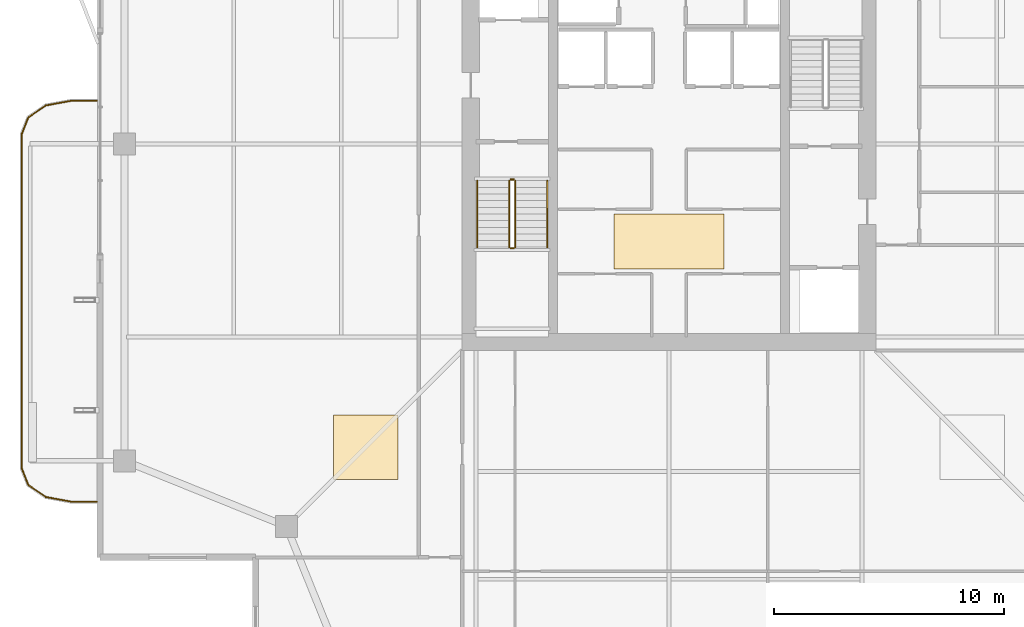
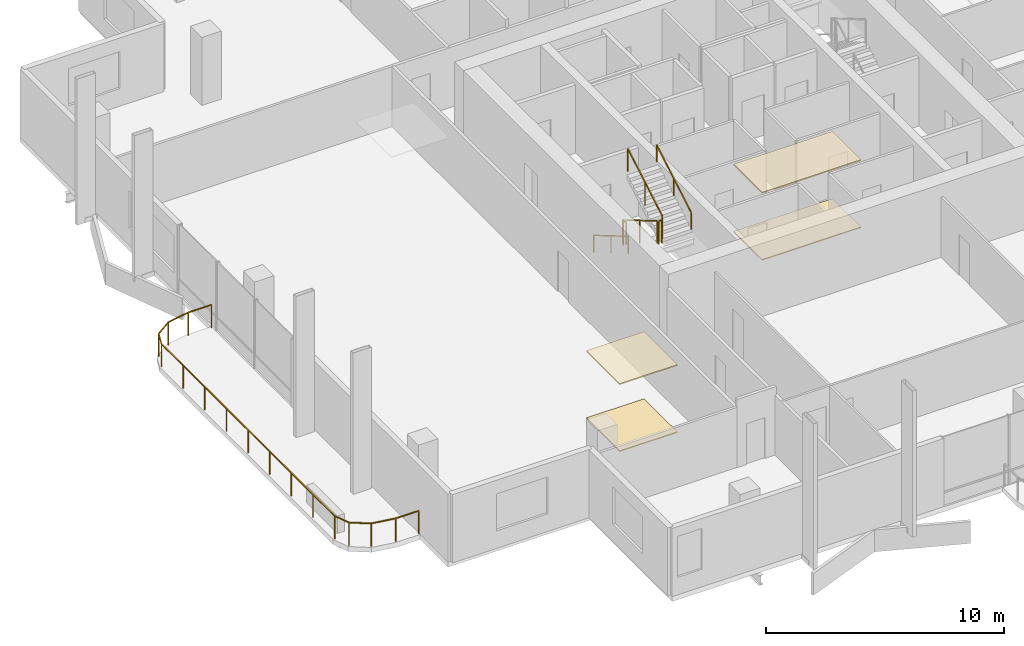
# One storey, part 22 of 25: 7 railings, 4 coverings.
"""IFC4 building model written with IfcOpenShell, lengths in metres."""

from ifc_helpers import new_model, si_unit, direction, frame, origin, origin_2d, place, context, subcontext, project, spatial, polyline, rectangle, outline, extrude, material, layer, layer_set, type_object, element, save


model = new_model("IFC4")

# Units and contexts
model_context = context("Model", 3, precision=1e-05, world=origin(), true_north=direction((0.0, 1.0)))
body_context = subcontext(model_context, "Body", "Model", "MODEL_VIEW")
ifc_project = project(units=[si_unit("LENGTHUNIT", "METRE"), si_unit("AREAUNIT", "SQUARE_METRE"), si_unit("VOLUMEUNIT", "CUBIC_METRE"), si_unit("PLANEANGLEUNIT", "RADIAN"), si_unit("MASSUNIT", "GRAM", prefix="KILO")], contexts=[model_context])

# Site, building, storey
site_placement = place(None, origin())
site = spatial("IfcSite", under=ifc_project, at=site_placement, CompositionType="ELEMENT")
building_placement = place(site_placement, origin())
building = spatial("IfcBuilding", under=site, at=building_placement, Name="Belovzor Exchange Tower", CompositionType="ELEMENT")
storey_placement = place(building_placement, frame((0.0, 0.0, 250.35009765625)))
storey = spatial("IfcBuildingStorey", under=building, at=storey_placement, Name="L62", CompositionType="ELEMENT", Elevation=250.35009765625)

# Railings
ifc_material_1 = material(Name="Stainless Steel Grade 304", Category="steel")
railing_type_1 = type_object("IfcRailingType", Name="Brushed Stainless Steel Stair Handrail 900", PredefinedType="HANDRAIL", material=ifc_material_1)
railing_1_placement = place(storey_placement, frame((20.449951171875, 27.199951171875, 0.17041015625)))
element("IfcRailing", 1, at=railing_1_placement, inside=storey, type_object=railing_type_1, Name="L62 ST-1 stair handrail 1", PredefinedType="HANDRAIL", context=body_context, shape_type="SweptSolid", body=[
    extrude(rectangle(XDim=0.048095703125, YDim=0.048095703125, at=origin_2d()), frame((0.0, 0.0, 0.8759765625), z_axis=(0.0, -0.86209462966, 0.506747323142), x_axis=(1.0, 0.0, 0.0)), (0.0, 0.0, 1.0), 3.36376953125),
    extrude(rectangle(XDim=0.0419921875, YDim=0.0419921875, at=origin_2d()), origin(), (0.0, 0.0, 1.0), 0.851806640625),
    extrude(rectangle(XDim=0.0419921875, YDim=0.0419921875, at=origin_2d()), frame((0.0, -1.449951171875, 0.852294921875)), (0.0, 0.0, 1.0), 0.851806640625),
    extrude(rectangle(XDim=0.0419921875, YDim=0.0419921875, at=origin_2d()), frame((0.0, -2.89990234375, 1.70458984375)), (0.0, 0.0, 1.0), 0.851806640625),
])
railing_2_placement = place(storey_placement, frame((23.5, 24.300048828125, 2.04541015625)))
element("IfcRailing", 2, at=railing_2_placement, inside=storey, type_object=railing_type_1, Name="L62 ST-1 stair handrail 2", PredefinedType="HANDRAIL", context=body_context, shape_type="SweptSolid", body=[
    extrude(rectangle(XDim=0.048095703125, YDim=0.048095703125, at=origin_2d()), frame((0.0, 0.0, 0.8759765625), z_axis=(0.0, 0.86209462966, 0.506747323142), x_axis=(-1.0, 0.0, 0.0)), (0.0, 0.0, 1.0), 3.36376953125),
    extrude(rectangle(XDim=0.0419921875, YDim=0.0419921875, at=origin_2d()), origin(), (0.0, 0.0, 1.0), 0.851806640625),
    extrude(rectangle(XDim=0.0419921875, YDim=0.0419921875, at=origin_2d()), frame((0.0, 1.449951171875, 0.852294921875)), (0.0, 0.0, 1.0), 0.851806640625),
    extrude(rectangle(XDim=0.0419921875, YDim=0.0419921875, at=origin_2d()), frame((0.0, 2.89990234375, 1.70458984375)), (0.0, 0.0, 1.0), 0.851806640625),
])
ifc_material_2 = material(Name="Stainless Steel and Laminated Safety Glass", Category="steel")
railing_type_2 = type_object("IfcRailingType", Name="Laminated Glass & Stainless Steel Balcony Balustrade 1200", PredefinedType="BALUSTRADE", material=ifc_material_2)
railing_3_placement = place(storey_placement, frame((3.889892578125, 30.669921875, 0.0)))
element("IfcRailing", 3, at=railing_3_placement, inside=storey, type_object=railing_type_2, Name="GR-1 Balcony Balustrade L62 West", PredefinedType="BALUSTRADE", context=body_context, shape_type="SweptSolid", body=[
    extrude(rectangle(XDim=0.048095703125, YDim=0.048095703125, at=origin_2d()), frame((0.0, 0.0, 1.17578125), z_axis=(-1.0, 0.0, 0.0), x_axis=(0.0, -1.0, 0.0)), (0.0, 0.0, 1.0), 1.1328125),
    extrude(rectangle(XDim=0.048095703125, YDim=0.048095703125, at=origin_2d()), frame((-1.1328125, 0.0, 1.17578125), z_axis=(-0.983651385113, -0.180083182347, 0.0), x_axis=(0.180083182347, -0.983651385113, 0.0)), (0.0, 0.0, 1.0), 1.093994140625),
    extrude(rectangle(XDim=0.048095703125, YDim=0.048095703125, at=origin_2d()), frame((-2.208984375, -0.197021484375, 1.17578125), z_axis=(-0.826614792125, -0.562768145367, 0.0), x_axis=(0.562768145367, -0.826614792125, 0.0)), (0.0, 0.0, 1.0), 0.9326171875),
    extrude(rectangle(XDim=0.048095703125, YDim=0.048095703125, at=origin_2d()), frame((-2.97998046875, -0.721923828125, 1.17578125), z_axis=(-0.365612923861, -0.930766990125, 0.0), x_axis=(0.930766990125, -0.365612923861, 0.0)), (0.0, 0.0, 1.0), 0.765869140625),
    extrude(rectangle(XDim=0.048095703125, YDim=0.048095703125, at=origin_2d()), frame((-3.260009765625, -1.434814453125, 1.17578125), z_axis=(0.0, -1.0, 0.0), x_axis=(1.0, 0.0, 0.0)), (0.0, 0.0, 1.0), 14.570068359375),
    extrude(rectangle(XDim=0.048095703125, YDim=0.048095703125, at=origin_2d()), frame((-3.260009765625, -16.0048828125, 1.17578125), z_axis=(0.365504480807, -0.930809580156, 0.0), x_axis=(0.930809580156, 0.365504480807, 0.0)), (0.0, 0.0, 1.0), 0.76611328125),
    extrude(rectangle(XDim=0.048095703125, YDim=0.048095703125, at=origin_2d()), frame((-2.97998046875, -16.718017578125, 1.17578125), z_axis=(0.826614792125, -0.562768145367, 0.0), x_axis=(0.562768145367, 0.826614792125, 0.0)), (0.0, 0.0, 1.0), 0.9326171875),
    extrude(rectangle(XDim=0.048095703125, YDim=0.048095703125, at=origin_2d()), frame((-2.208984375, -17.242919921875, 1.17578125), z_axis=(0.983651385113, -0.180083182347, 0.0), x_axis=(0.180083182347, 0.983651385113, 0.0)), (0.0, 0.0, 1.0), 1.093994140625),
    extrude(rectangle(XDim=0.048095703125, YDim=0.048095703125, at=origin_2d()), frame((-1.1328125, -17.43994140625, 1.17578125), z_axis=(1.0, 0.0, 0.0), x_axis=(0.0, 1.0, 0.0)), (0.0, 0.0, 1.0), 1.1328125),
    extrude(rectangle(XDim=0.0419921875, YDim=0.0419921875, at=origin_2d()), origin(), (0.0, 0.0, 1.0), 1.15185546875),
    extrude(rectangle(XDim=0.0419921875, YDim=0.0419921875, at=origin_2d()), frame((-1.1328125, 0.0, 0.0)), (0.0, 0.0, 1.0), 1.15185546875),
    extrude(rectangle(XDim=0.0419921875, YDim=0.0419921875, at=origin_2d()), frame((-2.208984375, -0.197021484375, 0.0)), (0.0, 0.0, 1.0), 1.15185546875),
    extrude(rectangle(XDim=0.0419921875, YDim=0.0419921875, at=origin_2d()), frame((-2.97998046875, -0.721923828125, 0.0)), (0.0, 0.0, 1.0), 1.15185546875),
    extrude(rectangle(XDim=0.0419921875, YDim=0.0419921875, at=origin_2d()), frame((-3.260009765625, -1.434814453125, 0.0)), (0.0, 0.0, 1.0), 1.15185546875),
    extrude(rectangle(XDim=0.0419921875, YDim=0.0419921875, at=origin_2d()), frame((-3.260009765625, -3.256103515625, 0.0)), (0.0, 0.0, 1.0), 1.15185546875),
    extrude(rectangle(XDim=0.0419921875, YDim=0.0419921875, at=origin_2d()), frame((-3.260009765625, -5.077392578125, 0.0)), (0.0, 0.0, 1.0), 1.15185546875),
    extrude(rectangle(XDim=0.0419921875, YDim=0.0419921875, at=origin_2d()), frame((-3.260009765625, -6.898681640625, 0.0)), (0.0, 0.0, 1.0), 1.15185546875),
    extrude(rectangle(XDim=0.0419921875, YDim=0.0419921875, at=origin_2d()), frame((-3.260009765625, -8.7197265625, 0.0)), (0.0, 0.0, 1.0), 1.15185546875),
    extrude(rectangle(XDim=0.0419921875, YDim=0.0419921875, at=origin_2d()), frame((-3.260009765625, -10.541015625, 0.0)), (0.0, 0.0, 1.0), 1.15185546875),
    extrude(rectangle(XDim=0.0419921875, YDim=0.0419921875, at=origin_2d()), frame((-3.260009765625, -12.3623046875, 0.0)), (0.0, 0.0, 1.0), 1.15185546875),
    extrude(rectangle(XDim=0.0419921875, YDim=0.0419921875, at=origin_2d()), frame((-3.260009765625, -14.18359375, 0.0)), (0.0, 0.0, 1.0), 1.15185546875),
    extrude(rectangle(XDim=0.0419921875, YDim=0.0419921875, at=origin_2d()), frame((-3.260009765625, -16.0048828125, 0.0)), (0.0, 0.0, 1.0), 1.15185546875),
    extrude(rectangle(XDim=0.0419921875, YDim=0.0419921875, at=origin_2d()), frame((-2.97998046875, -16.718017578125, 0.0)), (0.0, 0.0, 1.0), 1.15185546875),
    extrude(rectangle(XDim=0.0419921875, YDim=0.0419921875, at=origin_2d()), frame((-2.208984375, -17.242919921875, 0.0)), (0.0, 0.0, 1.0), 1.15185546875),
    extrude(rectangle(XDim=0.0419921875, YDim=0.0419921875, at=origin_2d()), frame((-1.1328125, -17.43994140625, 0.0)), (0.0, 0.0, 1.0), 1.15185546875),
    extrude(rectangle(XDim=0.0419921875, YDim=0.0419921875, at=origin_2d()), frame((0.0, -17.43994140625, 0.0)), (0.0, 0.0, 1.0), 1.15185546875),
])
ifc_material_3 = material(Name="Steel S355", Category="steel")
railing_type_3 = type_object("IfcRailingType", Name="Painted Steel Stairwell Guardrail 1200", PredefinedType="GUARDRAIL", material=ifc_material_3)
railing_4_placement = place(storey_placement, frame((21.85009765625, 27.199951171875, 0.17041015625)))
element("IfcRailing", 4, at=railing_4_placement, inside=storey, type_object=railing_type_3, Name="L62 ST-1 stair guard 1", PredefinedType="GUARDRAIL", context=body_context, shape_type="SweptSolid", body=[
    extrude(rectangle(XDim=0.048095703125, YDim=0.048095703125, at=origin_2d()), frame((0.0, 0.0, 1.17578125), z_axis=(0.0, -0.86209462966, 0.506747323142), x_axis=(1.0, 0.0, 0.0)), (0.0, 0.0, 1.0), 3.36376953125),
    extrude(rectangle(XDim=0.0419921875, YDim=0.0419921875, at=origin_2d()), origin(), (0.0, 0.0, 1.0), 1.15185546875),
    extrude(rectangle(XDim=0.0419921875, YDim=0.0419921875, at=origin_2d()), frame((0.0, -1.449951171875, 0.852294921875)), (0.0, 0.0, 1.0), 1.15185546875),
    extrude(rectangle(XDim=0.0419921875, YDim=0.0419921875, at=origin_2d()), frame((0.0, -2.89990234375, 1.70458984375)), (0.0, 0.0, 1.0), 1.15185546875),
])
railing_5_placement = place(storey_placement, frame((21.89990234375, 24.25, 1.875)))
element("IfcRailing", 5, at=railing_5_placement, inside=storey, type_object=railing_type_3, Name="L62 ST-1 stair guard 2", PredefinedType="GUARDRAIL", context=body_context, shape_type="SweptSolid", body=[
    extrude(rectangle(XDim=0.048095703125, YDim=0.048095703125, at=origin_2d()), frame((0.0, 0.0, 1.17578125), z_axis=(1.0, 0.0, 0.0), x_axis=(0.0, 1.0, 0.0)), (0.0, 0.0, 1.0), 0.150146484375),
    extrude(rectangle(XDim=0.0419921875, YDim=0.0419921875, at=origin_2d()), origin(), (0.0, 0.0, 1.0), 1.15185546875),
    extrude(rectangle(XDim=0.0419921875, YDim=0.0419921875, at=origin_2d()), frame((0.150146484375, 0.0, 0.0)), (0.0, 0.0, 1.0), 1.15185546875),
])
railing_6_placement = place(storey_placement, frame((22.10009765625, 24.300048828125, 2.04541015625)))
element("IfcRailing", 6, at=railing_6_placement, inside=storey, type_object=railing_type_3, Name="L62 ST-1 stair guard 3", PredefinedType="GUARDRAIL", context=body_context, shape_type="SweptSolid", body=[
    extrude(rectangle(XDim=0.048095703125, YDim=0.048095703125, at=origin_2d()), frame((0.0, 0.0, 1.17578125), z_axis=(0.0, 0.86209462966, 0.506747323142), x_axis=(-1.0, 0.0, 0.0)), (0.0, 0.0, 1.0), 3.36376953125),
    extrude(rectangle(XDim=0.0419921875, YDim=0.0419921875, at=origin_2d()), origin(), (0.0, 0.0, 1.0), 1.15185546875),
    extrude(rectangle(XDim=0.0419921875, YDim=0.0419921875, at=origin_2d()), frame((0.0, 1.449951171875, 0.852294921875)), (0.0, 0.0, 1.0), 1.15185546875),
    extrude(rectangle(XDim=0.0419921875, YDim=0.0419921875, at=origin_2d()), frame((0.0, 2.89990234375, 1.70458984375)), (0.0, 0.0, 1.0), 1.15185546875),
])
railing_7_placement = place(storey_placement, frame((21.89990234375, 27.25, 0.0)))
element("IfcRailing", 7, at=railing_7_placement, inside=storey, type_object=railing_type_3, Name="L62 ST-1 stair guard 4", PredefinedType="GUARDRAIL", context=body_context, shape_type="SweptSolid", body=[
    extrude(rectangle(XDim=0.048095703125, YDim=0.048095703125, at=origin_2d()), frame((0.0, 0.0, 1.17578125), z_axis=(1.0, 0.0, 0.0), x_axis=(0.0, 1.0, 0.0)), (0.0, 0.0, 1.0), 0.150146484375),
    extrude(rectangle(XDim=0.0419921875, YDim=0.0419921875, at=origin_2d()), origin(), (0.0, 0.0, 1.0), 1.15185546875),
    extrude(rectangle(XDim=0.0419921875, YDim=0.0419921875, at=origin_2d()), frame((0.150146484375, 0.0, 0.0)), (0.0, 0.0, 1.0), 1.15185546875),
])

# Coverings
ifc_material_4 = material(Name="Perforated Powder-Coated Aluminium", Category="aluminium")
ifc_layer_1 = layer(ifc_material_4, 0.06005859375)
ifc_layer_set_1 = layer_set([ifc_layer_1], Name="Perforated Powder-Coated Aluminium")
covering_type_1 = type_object("IfcCoveringType", Name="Perforated Acoustic Metal Tile Suspended Ceiling 60", PredefinedType="CEILING", material=ifc_layer_set_1)
covering_1_placement = place(storey_placement, frame((0.0, 0.0, 3.43994140625)))
element("IfcCovering", 8, at=covering_1_placement, inside=storey, type_object=covering_type_1, Name="CLG-AC60 Suspended Ceiling CLG-L62-LOB", PredefinedType="CEILING", context=body_context, shape_type="SweptSolid", body=[
    extrude(outline(polyline([(26.39990234375, 23.35009765625), (31.199951171875, 23.35009765625), (31.199951171875, 25.75), (26.39990234375, 25.75), (26.39990234375, 23.35009765625)])), origin(), (0.0, 0.0, 1.0), 0.06005859375),
])
covering_2_placement = place(storey_placement, frame((0.0, 0.0, 3.43994140625)))
element("IfcCovering", 9, at=covering_2_placement, inside=storey, type_object=covering_type_1, Name="CLG-AC60 Suspended Ceiling CLG-L62-Z0", PredefinedType="CEILING", context=body_context, shape_type="SweptSolid", body=[
    extrude(outline(polyline([(14.199951171875, 14.199951171875), (17.0, 14.199951171875), (17.0, 17.0), (14.199951171875, 17.0), (14.199951171875, 14.199951171875)])), origin(), (0.0, 0.0, 1.0), 0.06005859375),
])
ifc_material_5 = material(Name="Polished Natural Granite Tile", Category="masonry")
ifc_layer_2 = layer(ifc_material_5, 0.050048828125)
ifc_layer_set_2 = layer_set([ifc_layer_2], Name="Polished Natural Granite Tile")
covering_type_2 = type_object("IfcCoveringType", Name="Polished Karelian Granite & Raised Access Floor Finish 50", PredefinedType="FLOORING", material=ifc_layer_set_2)
covering_3_placement = place(storey_placement, origin())
element("IfcCovering", 10, at=covering_3_placement, inside=storey, type_object=covering_type_2, Name="FLR-GR50 Floor Finish FLR-L62-LOB", PredefinedType="FLOORING", context=body_context, shape_type="SweptSolid", body=[
    extrude(outline(polyline([(26.39990234375, 23.35009765625), (31.199951171875, 23.35009765625), (31.199951171875, 25.75), (26.39990234375, 25.75), (26.39990234375, 23.35009765625)])), origin(), (0.0, 0.0, 1.0), 0.0498046875),
])
covering_4_placement = place(storey_placement, origin())
element("IfcCovering", 11, at=covering_4_placement, inside=storey, type_object=covering_type_2, Name="FLR-GR50 Floor Finish FLR-L62-Z0", PredefinedType="FLOORING", context=body_context, shape_type="SweptSolid", body=[
    extrude(outline(polyline([(14.199951171875, 14.199951171875), (17.0, 14.199951171875), (17.0, 17.0), (14.199951171875, 17.0), (14.199951171875, 14.199951171875)])), origin(), (0.0, 0.0, 1.0), 0.0498046875),
])

save(model, "model.ifc")
